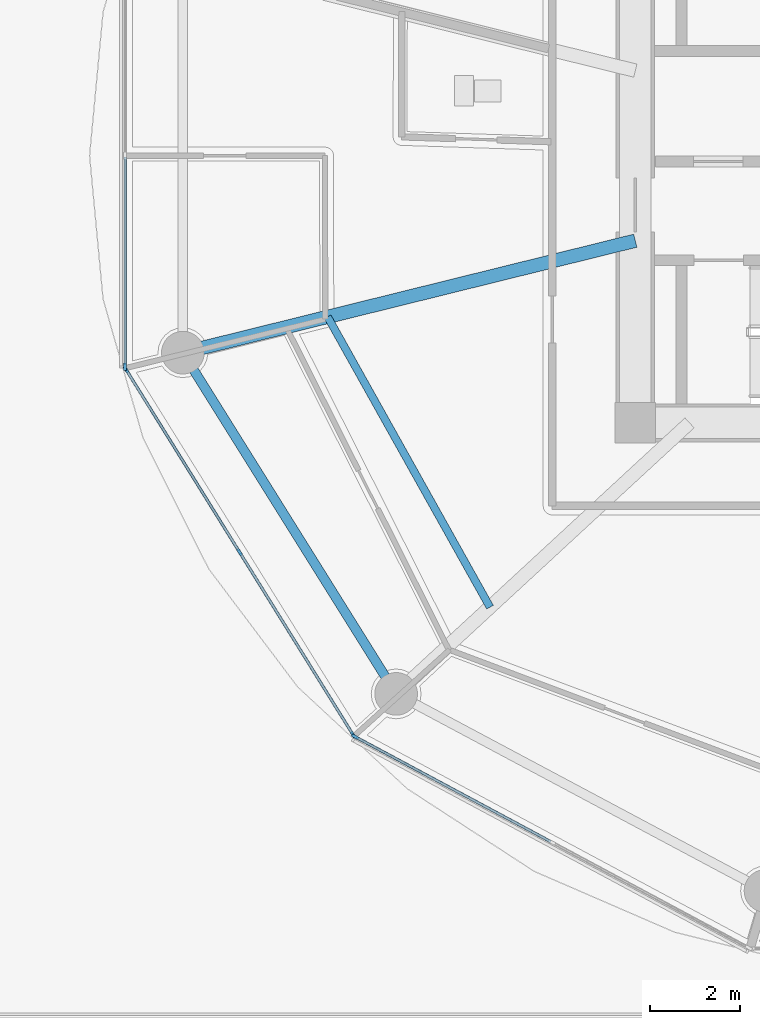
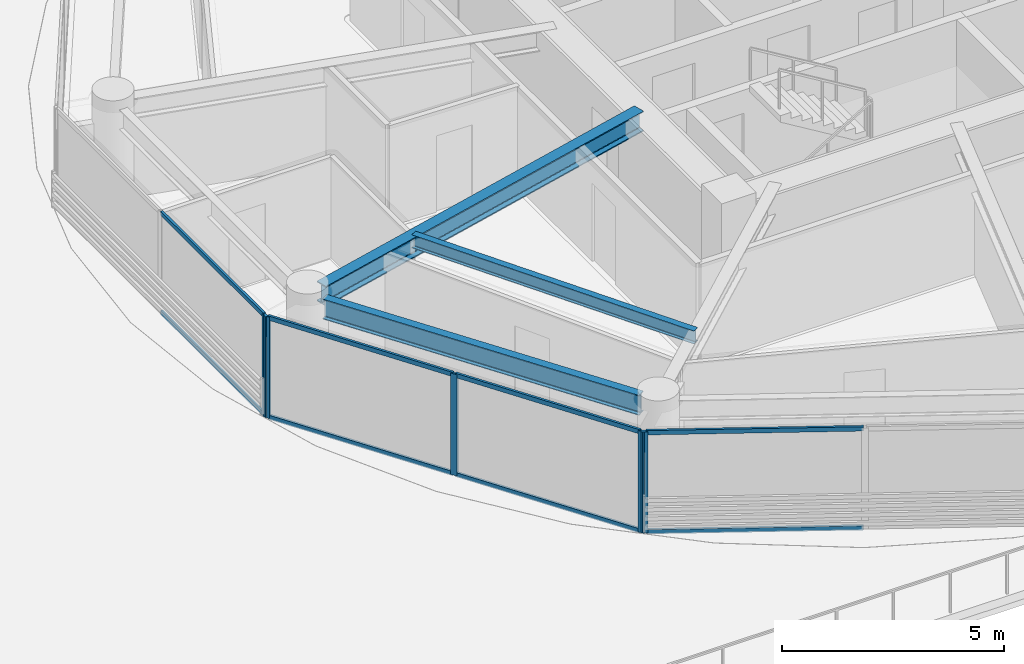
# One storey, part 6 of 32: 13 members, 3 beams, 3 elements without a shape of their own.
"""IFC4 building model written with IfcOpenShell, lengths in metres."""

from ifc_helpers import new_model, si_unit, direction, frame, origin, origin_2d, place, context, subcontext, project, spatial, rectangle, i_section, extrude, source, transform, mapped, material, layer, layer_set, material_profile, profile_set, type_object, type_shapes, element, aggregate, save


model = new_model("IFC4")

# Units and contexts
model_context = context("Model", 3, precision=1e-05, world=origin(), true_north=direction((0.0, 1.0)))
body_context = subcontext(model_context, "Body", "Model", "MODEL_VIEW")
ifc_project = project(units=[si_unit("LENGTHUNIT", "METRE"), si_unit("AREAUNIT", "SQUARE_METRE"), si_unit("VOLUMEUNIT", "CUBIC_METRE"), si_unit("PLANEANGLEUNIT", "RADIAN"), si_unit("MASSUNIT", "GRAM", prefix="KILO")], contexts=[model_context])

# Site, building, storey
site_placement = place(None, origin())
site = spatial("IfcSite", under=ifc_project, at=site_placement, CompositionType="ELEMENT")
building_placement = place(site_placement, origin())
building = spatial("IfcBuilding", under=site, at=building_placement, Name="Norrkilde Senior Care Towers", CompositionType="ELEMENT")
storey_placement = place(building_placement, frame((0.0, 0.0, 21.60009765625)))
storey = spatial("IfcBuildingStorey", under=building, at=storey_placement, Name="L05", CompositionType="ELEMENT", Elevation=21.60009765625)

# Beams
ifc_material_1 = material(Name="Steel S355", Category="steel")
ifc_material_profile_1 = material_profile(ifc_material_1, i_section(OverallWidth=0.2099609375, OverallDepth=0.550048828125, WebThickness=0.010986328125, FlangeThickness=0.01708984375, FilletRadius=0.02392578125, at=origin_2d()), Name="IPE 550")
ifc_profile_set_1 = profile_set([ifc_material_profile_1], Name="Steel S355")
beam_type_1 = type_object("IfcBeamType", Name="Perimeter Ring Spandrel Z1 IPE550", PredefinedType="SPANDREL", material=ifc_profile_set_1)
shared_shape_1 = source(origin(), body_context, "Body", "SweptSolid", [
    extrude(i_section(OverallWidth=0.2099609375, OverallDepth=0.550048828125, WebThickness=0.010986328125, FlangeThickness=0.01708984375, FilletRadius=0.02392578125, at=origin_2d()), origin(), (0.0, 0.0, 1.0), 8.090576171875),
])
type_shapes(beam_type_1, [shared_shape_1])
beam_1_placement = place(storey_placement, frame((10.505859375, -4.755859375, 2.514892578125), z_axis=(0.530004364821, -0.84799491347, 0.0), x_axis=(0.84799491347, 0.530004364821, 0.0)))
element("IfcBeam", 1, at=beam_1_placement, inside=storey, type_object=beam_type_1, Name="L05 Drum E Perimeter Spandrel 07", PredefinedType="SPANDREL", context=body_context, shape_type="MappedRepresentation", body=[
    mapped(shared_shape_1, transform((0.0, 0.0, 0.0), x_axis=(1.0, 0.0, 0.0), y_axis=(0.0, 1.0, 0.0), z_axis=(0.0, 0.0, 1.0), scale=1.0)),
])
ifc_material_profile_2 = material_profile(ifc_material_1, i_section(OverallWidth=0.300048828125, OverallDepth=0.550048828125, WebThickness=0.014892578125, FlangeThickness=0.029052734375, FilletRadius=0.027099609375, at=origin_2d()), Name="HEB 550")
ifc_profile_set_2 = profile_set([ifc_material_profile_2], Name="Steel S355")
beam_type_2 = type_object("IfcBeamType", Name="Radial Floor Beam Z1 HEB550", PredefinedType="BEAM", material=ifc_profile_set_2)
shared_shape_2 = source(origin(), body_context, "Body", "SweptSolid", [
    extrude(i_section(OverallWidth=0.300048828125, OverallDepth=0.550048828125, WebThickness=0.014892578125, FlangeThickness=0.029052734375, FilletRadius=0.027099609375, at=origin_2d()), origin(), (0.0, 0.0, 1.0), 9.94384765625),
])
type_shapes(beam_type_2, [shared_shape_2])
beam_2_placement = place(storey_placement, frame((20.35009765625, -1.893310546875, 2.514892578125), z_axis=(-0.970707425182, -0.240264634718, 0.0), x_axis=(0.240264634718, -0.970707425182, 0.0)))
element("IfcBeam", 2, at=beam_2_placement, inside=storey, type_object=beam_type_2, Name="L05 Drum E Radial Floor Beam 07", PredefinedType="BEAM", context=body_context, shape_type="MappedRepresentation", body=[
    mapped(shared_shape_2, transform((0.0, 0.0, 0.0), x_axis=(1.0, 0.0, 0.0), y_axis=(0.0, 1.0, 0.0), z_axis=(0.0, 0.0, 1.0), scale=1.0)),
])
ifc_material_profile_3 = material_profile(ifc_material_1, i_section(OverallWidth=0.169921875, OverallDepth=0.360107421875, WebThickness=0.008056640625, FlangeThickness=0.0126953125, FilletRadius=0.01806640625, at=origin_2d()), Name="IPE 360")
ifc_profile_set_3 = profile_set([ifc_material_profile_3], Name="Steel S355")
beam_type_3 = type_object("IfcBeamType", Name="Secondary Floor Joist IPE360", PredefinedType="JOIST", material=ifc_profile_set_3)
shared_shape_3 = source(origin(), body_context, "Body", "SweptSolid", [
    extrude(i_section(OverallWidth=0.169921875, OverallDepth=0.360107421875, WebThickness=0.008056640625, FlangeThickness=0.0126953125, FilletRadius=0.01806640625, at=origin_2d()), origin(), (0.0, 0.0, 1.0), 7.40771484375),
])
type_shapes(beam_type_3, [shared_shape_3])
beam_3_placement = place(storey_placement, frame((13.499267578125, -3.589111328125, 2.60986328125), z_axis=(0.488167754092, -0.872749817453, 0.0), x_axis=(0.872749817453, 0.488167754092, 0.0)))
element("IfcBeam", 3, at=beam_3_placement, inside=storey, type_object=beam_type_3, Name="L05 Drum E Secondary Floor Joist 3", PredefinedType="JOIST", context=body_context, shape_type="MappedRepresentation", body=[
    mapped(shared_shape_3, transform((0.0, 0.0, 0.0), x_axis=(1.0, 0.0, 0.0), y_axis=(0.0, 1.0, 0.0), z_axis=(0.0, 0.0, 1.0), scale=1.0)),
])

# Curtain wall, member
ifc_material_2 = material(Name="Triple Low-E Insulated Glazing", Category="glass")
ifc_layer = layer(ifc_material_2, 0.199951171875)
ifc_layer_set = layer_set([ifc_layer], Name="Triple Low-E Insulated Glazing")
curtain_wall_type = type_object("IfcCurtainWallType", Name="CW2 Zone 1 Memory Care Curtain Wall", PredefinedType="NOTDEFINED", material=ifc_layer_set)
curtain_wall_1_placement = place(storey_placement, origin())
curtain_wall_1 = element("IfcCurtainWall", 4, at=curtain_wall_1_placement, inside=storey, type_object=curtain_wall_type, Name="L05 Drum E Curtain Wall 05", PredefinedType="NOTDEFINED")
ifc_material_3 = material(Name="Anodised Aluminium", Category="aluminium")
ifc_material_profile_4 = material_profile(ifc_material_3, rectangle(XDim=0.06494140625, YDim=0.159912109375, at=origin_2d()), Name="ALU MULL 65x160")
ifc_profile_set_4 = profile_set([ifc_material_profile_4], Name="Anodised Aluminium")
member_type_1 = type_object("IfcMemberType", Name="Curtain Wall Mullion Z1-Z2 65x160", PredefinedType="MULLION", material=ifc_profile_set_4)
shared_shape_4 = source(origin(), body_context, "Body", "SweptSolid", [
    extrude(rectangle(XDim=0.06494140625, YDim=0.159912109375, at=origin_2d()), origin(), (0.0, 0.0, 1.0), 2.789794921875),
])
type_shapes(member_type_1, [shared_shape_4])
member_1_placement = place(storey_placement, frame((8.990478515625, -4.69873046875, 0.0), z_axis=(0.0, 0.0, 1.0), x_axis=(-1.0, 0.0, 0.0)))
member_1 = element("IfcMember", 5, at=member_1_placement, type_object=member_type_1, Name="CW-2 mullion 1", PredefinedType="MULLION", context=body_context, shape_type="MappedRepresentation", body=[
    mapped(shared_shape_4, transform((0.0, 0.0, 0.0), x_axis=(1.0, 0.0, 0.0), y_axis=(0.0, 1.0, 0.0), z_axis=(0.0, 0.0, 1.0), scale=1.0)),
])

# Curtain wall, members
curtain_wall_2_placement = place(storey_placement, origin())
curtain_wall_2 = element("IfcCurtainWall", 6, at=curtain_wall_2_placement, inside=storey, type_object=curtain_wall_type, Name="L05 Drum E Curtain Wall 06", PredefinedType="NOTDEFINED")
member_2_placement = place(storey_placement, frame((14.06689453125, -12.898193359375, 0.0), z_axis=(0.0, 0.0, 1.0), x_axis=(-0.849305943117, -0.527900951871, 0.0)))
member_2 = element("IfcMember", 7, at=member_2_placement, type_object=member_type_1, Name="CW-2 mullion 1", PredefinedType="MULLION", context=body_context, shape_type="MappedRepresentation", body=[
    mapped(shared_shape_4, transform((0.0, 0.0, 0.0), x_axis=(1.0, 0.0, 0.0), y_axis=(0.0, 1.0, 0.0), z_axis=(0.0, 0.0, 1.0), scale=1.0)),
])
member_3_placement = place(storey_placement, frame((11.537353515625, -8.82861328125, 0.0), z_axis=(0.0, 0.0, 1.0), x_axis=(-0.849305943117, -0.527900951871, 0.0)))
member_3 = element("IfcMember", 8, at=member_3_placement, type_object=member_type_1, Name="CW-2 mullion 2", PredefinedType="MULLION", context=body_context, shape_type="MappedRepresentation", body=[
    mapped(shared_shape_4, transform((0.0, 0.0, 0.0), x_axis=(1.0, 0.0, 0.0), y_axis=(0.0, 1.0, 0.0), z_axis=(0.0, 0.0, 1.0), scale=1.0)),
])
member_4_placement = place(storey_placement, frame((9.0078125, -4.7587890625, 0.0), z_axis=(0.0, 0.0, 1.0), x_axis=(-0.849305943117, -0.527900951871, 0.0)))
member_4 = element("IfcMember", 9, at=member_4_placement, type_object=member_type_1, Name="CW-2 mullion 3", PredefinedType="MULLION", context=body_context, shape_type="MappedRepresentation", body=[
    mapped(shared_shape_4, transform((0.0, 0.0, 0.0), x_axis=(1.0, 0.0, 0.0), y_axis=(0.0, 1.0, 0.0), z_axis=(0.0, 0.0, 1.0), scale=1.0)),
])

curtain_wall_3_placement = place(storey_placement, origin())
curtain_wall_3 = element("IfcCurtainWall", 10, at=curtain_wall_3_placement, inside=storey, type_object=curtain_wall_type, Name="L05 Drum E Curtain Wall 07", PredefinedType="NOTDEFINED")
member_5_placement = place(storey_placement, frame((14.11279296875, -12.941162109375, 0.0), z_axis=(0.0, 0.0, 1.0), x_axis=(-0.472607802456, -0.881272866403, 0.0)))
member_5 = element("IfcMember", 11, at=member_5_placement, type_object=member_type_1, Name="CW-2 mullion 3", PredefinedType="MULLION", context=body_context, shape_type="MappedRepresentation", body=[
    mapped(shared_shape_4, transform((0.0, 0.0, 0.0), x_axis=(1.0, 0.0, 0.0), y_axis=(0.0, 1.0, 0.0), z_axis=(0.0, 0.0, 1.0), scale=1.0)),
])
ifc_material_profile_5 = material_profile(ifc_material_3, rectangle(XDim=0.06005859375, YDim=0.1201171875, at=origin_2d()), Name="ALU TRAN 60x120")
ifc_profile_set_5 = profile_set([ifc_material_profile_5], Name="Anodised Aluminium")
member_type_2 = type_object("IfcMemberType", Name="Curtain Wall Transom Typical 60x120", PredefinedType="USERDEFINED", material=ifc_profile_set_5)
shared_shape_5 = source(origin(), body_context, "Body", "SweptSolid", [
    extrude(rectangle(XDim=0.06005859375, YDim=0.1201171875, at=origin_2d()), origin(), (0.0, 0.0, 1.0), 4.907958984375),
])
member_6_placement = place(storey_placement, frame((18.466552734375, -15.276123046875, 0.02978515625), z_axis=(-0.881266902561, 0.472618923077, 0.0), x_axis=(-0.472618923077, -0.881266902561, 0.0)))
member_6 = element("IfcMember", 12, at=member_6_placement, type_object=member_type_2, Name="CW-2 transom 2.1", ObjectType="TRANSOM", PredefinedType="USERDEFINED", context=body_context, shape_type="MappedRepresentation", body=[
    mapped(shared_shape_5, transform((0.0, 0.0, 0.0), x_axis=(1.0, 0.0, 0.0), y_axis=(0.0, 1.0, 0.0), z_axis=(0.0, 0.0, 1.0), scale=1.0)),
])
member_7_placement = place(storey_placement, frame((18.466552734375, -15.276123046875, 2.760009765625), z_axis=(-0.881266902561, 0.472618923077, 0.0), x_axis=(-0.472618923077, -0.881266902561, 0.0)))
member_7 = element("IfcMember", 13, at=member_7_placement, type_object=member_type_2, Name="CW-2 transom 2.2", ObjectType="TRANSOM", PredefinedType="USERDEFINED", context=body_context, shape_type="MappedRepresentation", body=[
    mapped(shared_shape_5, transform((0.0, 0.0, 0.0), x_axis=(1.0, 0.0, 0.0), y_axis=(0.0, 1.0, 0.0), z_axis=(0.0, 0.0, 1.0), scale=1.0)),
])
aggregate(curtain_wall_3, [member_5, member_6, member_7])

# Member
shared_shape_6 = source(origin(), body_context, "Body", "SweptSolid", [
    extrude(rectangle(XDim=0.06005859375, YDim=0.1201171875, at=origin_2d()), origin(), (0.0, 0.0, 1.0), 4.72705078125),
])
member_8_placement = place(storey_placement, frame((11.520263671875, -8.801025390625, 0.02978515625), z_axis=(-0.527898881076, 0.849307230252, 0.0), x_axis=(-0.849307230252, -0.527898881076, 0.0)))
member_8 = element("IfcMember", 14, at=member_8_placement, type_object=member_type_2, Name="CW-2 transom 2.1", ObjectType="TRANSOM", PredefinedType="USERDEFINED", context=body_context, shape_type="MappedRepresentation", body=[
    mapped(shared_shape_6, transform((0.0, 0.0, 0.0), x_axis=(1.0, 0.0, 0.0), y_axis=(0.0, 1.0, 0.0), z_axis=(0.0, 0.0, 1.0), scale=1.0)),
])

member_9_placement = place(storey_placement, frame((11.520263671875, -8.801025390625, 2.760009765625), z_axis=(-0.527898881076, 0.849307230252, 0.0), x_axis=(-0.849307230252, -0.527898881076, 0.0)))
member_9 = element("IfcMember", 15, at=member_9_placement, type_object=member_type_2, Name="CW-2 transom 2.2", ObjectType="TRANSOM", PredefinedType="USERDEFINED", context=body_context, shape_type="MappedRepresentation", body=[
    mapped(shared_shape_6, transform((0.0, 0.0, 0.0), x_axis=(1.0, 0.0, 0.0), y_axis=(0.0, 1.0, 0.0), z_axis=(0.0, 0.0, 1.0), scale=1.0)),
])

shared_shape_7 = source(origin(), body_context, "Body", "SweptSolid", [
    extrude(rectangle(XDim=0.06005859375, YDim=0.1201171875, at=origin_2d()), origin(), (0.0, 0.0, 1.0), 4.726806640625),
])
member_10_placement = place(storey_placement, frame((14.0498046875, -12.87060546875, 0.02978515625), z_axis=(-0.527922038395, 0.849292836056, 0.0), x_axis=(-0.849292836056, -0.527922038395, 0.0)))
member_10 = element("IfcMember", 16, at=member_10_placement, type_object=member_type_2, Name="CW-2 transom 1.1", ObjectType="TRANSOM", PredefinedType="USERDEFINED", context=body_context, shape_type="MappedRepresentation", body=[
    mapped(shared_shape_7, transform((0.0, 0.0, 0.0), x_axis=(1.0, 0.0, 0.0), y_axis=(0.0, 1.0, 0.0), z_axis=(0.0, 0.0, 1.0), scale=1.0)),
])

member_11_placement = place(storey_placement, frame((14.0498046875, -12.87060546875, 2.760009765625), z_axis=(-0.527922038395, 0.849292836056, 0.0), x_axis=(-0.849292836056, -0.527922038395, 0.0)))
member_11 = element("IfcMember", 17, at=member_11_placement, type_object=member_type_2, Name="CW-2 transom 1.2", ObjectType="TRANSOM", PredefinedType="USERDEFINED", context=body_context, shape_type="MappedRepresentation", body=[
    mapped(shared_shape_7, transform((0.0, 0.0, 0.0), x_axis=(1.0, 0.0, 0.0), y_axis=(0.0, 1.0, 0.0), z_axis=(0.0, 0.0, 1.0), scale=1.0)),
])

aggregate(curtain_wall_2, [member_2, member_3, member_4, member_10, member_11, member_8, member_9])

shared_shape_8 = source(origin(), body_context, "Body", "SweptSolid", [
    extrude(rectangle(XDim=0.06005859375, YDim=0.1201171875, at=origin_2d()), origin(), (0.0, 0.0, 1.0), 4.6337890625),
])
type_shapes(member_type_2, [shared_shape_5, shared_shape_6, shared_shape_7, shared_shape_8])
member_12_placement = place(storey_placement, frame((8.990478515625, -4.666259765625, 0.02978515625), z_axis=(0.0, 1.0, 0.0), x_axis=(-1.0, 0.0, 0.0)))
member_12 = element("IfcMember", 18, at=member_12_placement, type_object=member_type_2, Name="CW-2 transom 1.1", ObjectType="TRANSOM", PredefinedType="USERDEFINED", context=body_context, shape_type="MappedRepresentation", body=[
    mapped(shared_shape_8, transform((0.0, 0.0, 0.0), x_axis=(1.0, 0.0, 0.0), y_axis=(0.0, 1.0, 0.0), z_axis=(0.0, 0.0, 1.0), scale=1.0)),
])

member_13_placement = place(storey_placement, frame((8.990478515625, -4.666259765625, 2.760009765625), z_axis=(0.0, 1.0, 0.0), x_axis=(-1.0, 0.0, 0.0)))
member_13 = element("IfcMember", 19, at=member_13_placement, type_object=member_type_2, Name="CW-2 transom 1.2", ObjectType="TRANSOM", PredefinedType="USERDEFINED", context=body_context, shape_type="MappedRepresentation", body=[
    mapped(shared_shape_8, transform((0.0, 0.0, 0.0), x_axis=(1.0, 0.0, 0.0), y_axis=(0.0, 1.0, 0.0), z_axis=(0.0, 0.0, 1.0), scale=1.0)),
])

aggregate(curtain_wall_1, [member_1, member_12, member_13])

save(model, "model.ifc")
